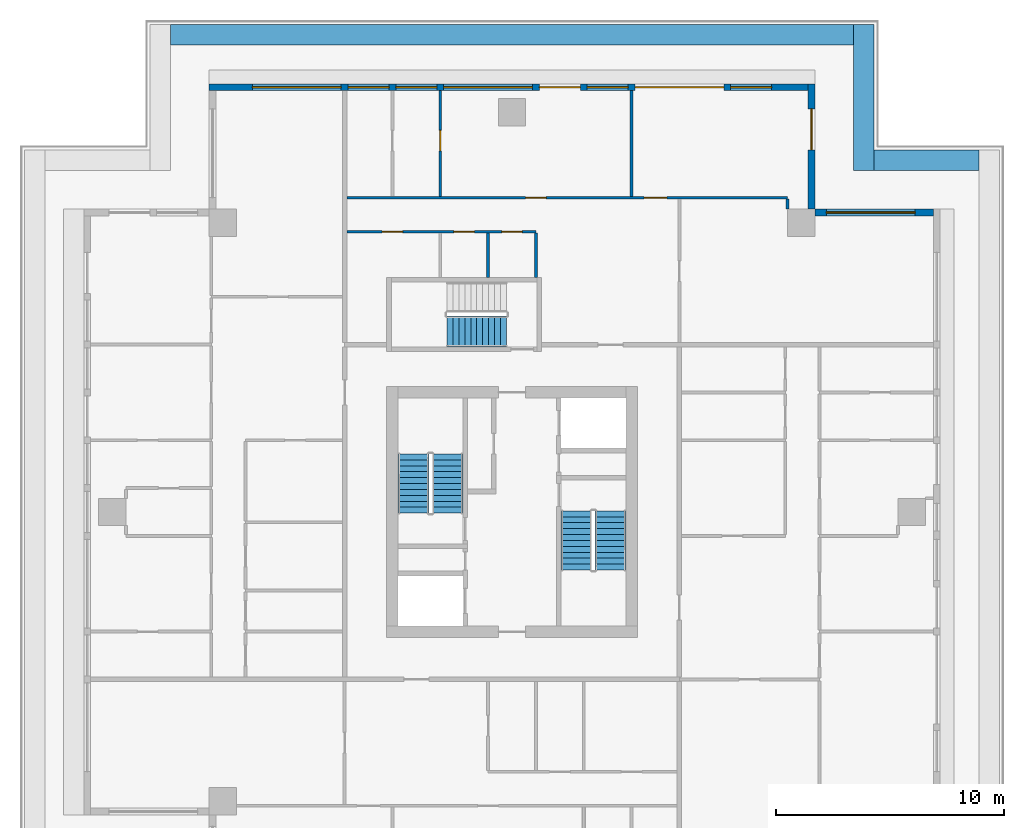
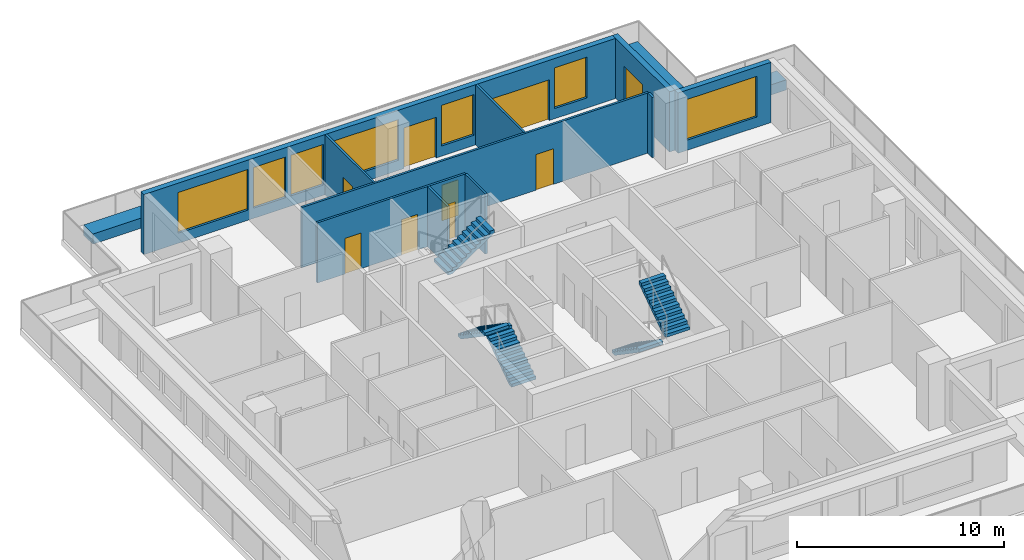
# One storey, part 6 of 10: 13 walls, 9 doors, 7 windows, 5 stair flights, 16 openings, 3 elements without a shape of their own.
"""IFC4 building model written with IfcOpenShell, lengths in metres."""

from ifc_helpers import new_model, si_unit, direction, frame, frame_2d, origin, place, context, subcontext, project, spatial, polyline, rectangle, outline, extrude, material, layer, layer_set, type_object, element, fill, aggregate, save


model = new_model("IFC4")

# Units and contexts
model_context = context("Model", 3, precision=1e-05, world=origin(), true_north=direction((0.0, 1.0)))
body_context = subcontext(model_context, "Body", "Model", "MODEL_VIEW")
ifc_project = project(units=[si_unit("LENGTHUNIT", "METRE"), si_unit("AREAUNIT", "SQUARE_METRE"), si_unit("VOLUMEUNIT", "CUBIC_METRE"), si_unit("PLANEANGLEUNIT", "RADIAN"), si_unit("MASSUNIT", "GRAM", prefix="KILO")], contexts=[model_context])

# Site, building, storey
site_placement = place(None, origin())
site = spatial("IfcSite", under=ifc_project, at=site_placement, CompositionType="ELEMENT")
building_placement = place(site_placement, origin())
building = spatial("IfcBuilding", under=site, at=building_placement, Name="Khepri Terraces", CompositionType="ELEMENT")
storey_placement = place(building_placement, frame((0.0, 0.0, 300.60009765625)))
storey = spatial("IfcBuildingStorey", under=building, at=storey_placement, Name="L72", CompositionType="ELEMENT", Elevation=300.60009765625)

# Wall, opening, window
ifc_material_1 = material(Name="Precast concrete C50/60 warm stone", Category="masonry")
ifc_layer_1 = layer(ifc_material_1, 0.300048828125, Name="Precast concrete C50/60 warm stone", Category="masonry")
ifc_layer_set_1 = layer_set([ifc_layer_1], Name="Precast concrete C50/60 warm stone")
wall_type_1 = type_object("IfcWallType", Name="WL-EXT-PRECAST-300", PredefinedType="STANDARD", material=ifc_layer_set_1)
wall_1_placement = place(storey_placement, frame((18.5, 13.14990234375, 0.0), z_axis=(0.0, 0.0, 1.0), x_axis=(-1.0, 0.0, 0.0)))
wall_1 = element("IfcWall", 1, at=wall_1_placement, inside=storey, type_object=wall_type_1, Name="External wall L72 N", PredefinedType="STANDARD", context=body_context, shape_type="SweptSolid", body=[
    extrude(rectangle(XDim=5.199951171875, YDim=0.300048828125, at=frame_2d((2.60009765625, 0.0))), origin(), (0.0, 0.0, 1.0), 3.5498046875),
])
opening_1_placement = place(wall_1_placement, frame((0.800048828125, 0.0, 0.60009765625)))
opening_1 = element("IfcOpeningElement", 2, at=opening_1_placement, cuts=wall_1, Name="Opening WC2", PredefinedType="OPENING", context=body_context, shape_type="SweptSolid", body=[
    extrude(rectangle(XDim=3.89990234375, YDim=2.39990234375, at=frame_2d((1.949951171875, 1.199951171875))), frame((0.0, 0.16015625, 0.0), z_axis=(0.0, -1.0, 0.0), x_axis=(1.0, 0.0, 0.0)), (0.0, 0.0, 1.0), 0.320068359375),
])
ifc_material_2 = material(Name="Clear glass", Category="glass")
window_type_1 = type_object("IfcWindowType", Name="WIN-CRN-3900x2400", PartitioningType="SINGLE_PANEL", PredefinedType="WINDOW", material=ifc_material_2)
window_1_placement = place(opening_1_placement, origin())
window_1 = element("IfcWindow", 3, at=window_1_placement, inside=storey, type_object=window_type_1, Name="Window L72 N", OverallHeight=2.39990234375, OverallWidth=3.89990234375, PartitioningType="SINGLE_PANEL", PredefinedType="WINDOW", context=body_context, shape_type="SweptSolid", body=[
    extrude(rectangle(XDim=3.89990234375, YDim=2.39990234375, at=frame_2d((1.949951171875, 1.199951171875))), frame((0.0, 0.030029296875, 0.0), z_axis=(0.0, -1.0, 0.0), x_axis=(1.0, 0.0, 0.0)), (0.0, 0.0, 1.0), 0.06005859375),
])
fill(opening_1, window_1)

# Wall, opening, door
wall_2_placement = place(storey_placement, frame((13.14990234375, 13.300048828125, 0.0), z_axis=(0.0, 0.0, 1.0), x_axis=(0.0, 1.0, 0.0)))
wall_2 = element("IfcWall", 4, at=wall_2_placement, inside=storey, type_object=wall_type_1, Name="External wall L72 E", PredefinedType="STANDARD", context=body_context, shape_type="SweptSolid", body=[
    extrude(rectangle(XDim=5.5, YDim=0.300048828125, at=frame_2d((2.75, 0.0))), origin(), (0.0, 0.0, 1.0), 3.5498046875),
])
opening_2_placement = place(wall_2_placement, frame((2.60009765625, 0.0, 0.0)))
opening_2 = element("IfcOpeningElement", 5, at=opening_2_placement, cuts=wall_2, Name="Opening ED-L72-04", PredefinedType="OPENING", context=body_context, shape_type="SweptSolid", body=[
    extrude(rectangle(XDim=1.800048828125, YDim=2.39990234375, at=frame_2d((0.89990234375, 1.199951171875))), frame((0.0, 0.16015625, 0.0), z_axis=(0.0, -1.0, 0.0), x_axis=(1.0, 0.0, 0.0)), (0.0, 0.0, 1.0), 0.320068359375),
])
ifc_material_3 = material(Name="Anodised aluminium bronze glazed door", Category="aluminium")
door_type_1 = type_object("IfcDoorType", Name="DR-BAL-SLIDE-1800x2400", OperationType="NOTDEFINED", PredefinedType="DOOR", material=ifc_material_3)
door_1_placement = place(opening_2_placement, origin())
door_1 = element("IfcDoor", 6, at=door_1_placement, inside=storey, type_object=door_type_1, Name="Balcony door L72 E", OperationType="SLIDING_TO_LEFT", OverallHeight=2.39990234375, OverallWidth=1.800048828125, PredefinedType="DOOR", context=body_context, shape_type="SweptSolid", body=[
    extrude(rectangle(XDim=1.800048828125, YDim=2.39990234375, at=frame_2d((0.89990234375, 1.199951171875))), frame((0.0, 0.02490234375, 0.0), z_axis=(0.0, -1.0, 0.0), x_axis=(1.0, 0.0, 0.0)), (0.0, 0.0, 1.0), 0.050048828125),
])
fill(opening_2, door_1)

# Wall, openings, doors, windows
wall_3_placement = place(storey_placement, frame((13.0, 18.64990234375, 0.0), z_axis=(0.0, 0.0, 1.0), x_axis=(-1.0, 0.0, 0.0)))
wall_3 = element("IfcWall", 7, at=wall_3_placement, inside=storey, type_object=wall_type_1, Name="External wall L72 N", PredefinedType="STANDARD", context=body_context, shape_type="SweptSolid", body=[
    extrude(rectangle(XDim=26.300048828125, YDim=0.300048828125, at=frame_2d((13.14990234375, 0.0))), origin(), (0.0, 0.0, 1.0), 3.5498046875),
])
opening_3_placement = place(wall_3_placement, frame((1.60009765625, 0.0, 0.60009765625)))
opening_3 = element("IfcOpeningElement", 8, at=opening_3_placement, cuts=wall_3, Name="Opening WC1", PredefinedType="OPENING", context=body_context, shape_type="SweptSolid", body=[
    extrude(rectangle(XDim=1.800048828125, YDim=2.39990234375, at=frame_2d((0.89990234375, 1.199951171875))), frame((0.0, 0.16015625, 0.0), z_axis=(0.0, -1.0, 0.0), x_axis=(1.0, 0.0, 0.0)), (0.0, 0.0, 1.0), 0.320068359375),
])
opening_4_placement = place(wall_3_placement, frame((3.699951171875, 0.0, 0.0)))
opening_4 = element("IfcOpeningElement", 9, at=opening_4_placement, cuts=wall_3, Name="Opening ED-L72-05", PredefinedType="OPENING", context=body_context, shape_type="SweptSolid", body=[
    extrude(rectangle(XDim=3.89990234375, YDim=2.39990234375, at=frame_2d((1.949951171875, 1.199951171875))), frame((0.0, 0.16015625, 0.0), z_axis=(0.0, -1.0, 0.0), x_axis=(1.0, 0.0, 0.0)), (0.0, 0.0, 1.0), 0.320068359375),
])
opening_5_placement = place(wall_3_placement, frame((7.89990234375, 0.0, 0.60009765625)))
opening_5 = element("IfcOpeningElement", 10, at=opening_5_placement, cuts=wall_3, Name="Opening WC1", PredefinedType="OPENING", context=body_context, shape_type="SweptSolid", body=[
    extrude(rectangle(XDim=1.800048828125, YDim=2.39990234375, at=frame_2d((0.89990234375, 1.199951171875))), frame((0.0, 0.16015625, 0.0), z_axis=(0.0, -1.0, 0.0), x_axis=(1.0, 0.0, 0.0)), (0.0, 0.0, 1.0), 0.320068359375),
])
opening_6_placement = place(wall_3_placement, frame((10.0, 0.0, 0.0)))
opening_6 = element("IfcOpeningElement", 11, at=opening_6_placement, cuts=wall_3, Name="Opening ED-L72-06", PredefinedType="OPENING", context=body_context, shape_type="SweptSolid", body=[
    extrude(rectangle(XDim=1.800048828125, YDim=2.39990234375, at=frame_2d((0.89990234375, 1.199951171875))), frame((0.0, 0.16015625, 0.0), z_axis=(0.0, -1.0, 0.0), x_axis=(1.0, 0.0, 0.0)), (0.0, 0.0, 1.0), 0.320068359375),
])
opening_7_placement = place(wall_3_placement, frame((12.10009765625, 0.0, 0.60009765625)))
opening_7 = element("IfcOpeningElement", 12, at=opening_7_placement, cuts=wall_3, Name="Opening WC2", PredefinedType="OPENING", context=body_context, shape_type="SweptSolid", body=[
    extrude(rectangle(XDim=3.89990234375, YDim=2.39990234375, at=frame_2d((1.949951171875, 1.199951171875))), frame((0.0, 0.16015625, 0.0), z_axis=(0.0, -1.0, 0.0), x_axis=(1.0, 0.0, 0.0)), (0.0, 0.0, 1.0), 0.320068359375),
])
opening_8_placement = place(wall_3_placement, frame((16.300048828125, 0.0, 0.60009765625)))
opening_8 = element("IfcOpeningElement", 13, at=opening_8_placement, cuts=wall_3, Name="Opening WC1", PredefinedType="OPENING", context=body_context, shape_type="SweptSolid", body=[
    extrude(rectangle(XDim=1.800048828125, YDim=2.39990234375, at=frame_2d((0.89990234375, 1.199951171875))), frame((0.0, 0.16015625, 0.0), z_axis=(0.0, -1.0, 0.0), x_axis=(1.0, 0.0, 0.0)), (0.0, 0.0, 1.0), 0.320068359375),
])
opening_9_placement = place(wall_3_placement, frame((18.39990234375, 0.0, 0.60009765625)))
opening_9 = element("IfcOpeningElement", 14, at=opening_9_placement, cuts=wall_3, Name="Opening WC1", PredefinedType="OPENING", context=body_context, shape_type="SweptSolid", body=[
    extrude(rectangle(XDim=1.800048828125, YDim=2.39990234375, at=frame_2d((0.89990234375, 1.199951171875))), frame((0.0, 0.16015625, 0.0), z_axis=(0.0, -1.0, 0.0), x_axis=(1.0, 0.0, 0.0)), (0.0, 0.0, 1.0), 0.320068359375),
])
opening_10_placement = place(wall_3_placement, frame((20.5, 0.0, 0.60009765625)))
opening_10 = element("IfcOpeningElement", 15, at=opening_10_placement, cuts=wall_3, Name="Opening WC2", PredefinedType="OPENING", context=body_context, shape_type="SweptSolid", body=[
    extrude(rectangle(XDim=3.89990234375, YDim=2.39990234375, at=frame_2d((1.949951171875, 1.199951171875))), frame((0.0, 0.16015625, 0.0), z_axis=(0.0, -1.0, 0.0), x_axis=(1.0, 0.0, 0.0)), (0.0, 0.0, 1.0), 0.320068359375),
])
door_2_placement = place(opening_6_placement, origin())
door_2 = element("IfcDoor", 16, at=door_2_placement, inside=storey, type_object=door_type_1, Name="Balcony door L72 N", OperationType="SLIDING_TO_RIGHT", OverallHeight=2.39990234375, OverallWidth=1.800048828125, PredefinedType="DOOR", context=body_context, shape_type="SweptSolid", body=[
    extrude(rectangle(XDim=1.800048828125, YDim=2.39990234375, at=frame_2d((0.89990234375, 1.199951171875))), frame((0.0, 0.02490234375, 0.0), z_axis=(0.0, -1.0, 0.0), x_axis=(1.0, 0.0, 0.0)), (0.0, 0.0, 1.0), 0.050048828125),
])
fill(opening_6, door_2)
door_type_2 = type_object("IfcDoorType", Name="DR-BAL-SLIDE-3900x2400", OperationType="NOTDEFINED", PredefinedType="DOOR", material=ifc_material_3)
door_3_placement = place(opening_4_placement, origin())
door_3 = element("IfcDoor", 17, at=door_3_placement, inside=storey, type_object=door_type_2, Name="Balcony door L72 N", OperationType="SLIDING_TO_LEFT", OverallHeight=2.39990234375, OverallWidth=3.89990234375, PredefinedType="DOOR", context=body_context, shape_type="SweptSolid", body=[
    extrude(rectangle(XDim=3.89990234375, YDim=2.39990234375, at=frame_2d((1.949951171875, 1.199951171875))), frame((0.0, 0.02490234375, 0.0), z_axis=(0.0, -1.0, 0.0), x_axis=(1.0, 0.0, 0.0)), (0.0, 0.0, 1.0), 0.050048828125),
])
fill(opening_4, door_3)
window_type_2 = type_object("IfcWindowType", Name="WIN-CRN-1800x2400", PartitioningType="SINGLE_PANEL", PredefinedType="WINDOW", material=ifc_material_2)
window_2_placement = place(opening_3_placement, origin())
window_2 = element("IfcWindow", 18, at=window_2_placement, inside=storey, type_object=window_type_2, Name="Window L72 N", OverallHeight=2.39990234375, OverallWidth=1.800048828125, PartitioningType="SINGLE_PANEL", PredefinedType="WINDOW", context=body_context, shape_type="SweptSolid", body=[
    extrude(rectangle(XDim=1.800048828125, YDim=2.39990234375, at=frame_2d((0.89990234375, 1.199951171875))), frame((0.0, 0.030029296875, 0.0), z_axis=(0.0, -1.0, 0.0), x_axis=(1.0, 0.0, 0.0)), (0.0, 0.0, 1.0), 0.06005859375),
])
fill(opening_3, window_2)
window_3_placement = place(opening_5_placement, origin())
window_3 = element("IfcWindow", 19, at=window_3_placement, inside=storey, type_object=window_type_2, Name="Window L72 N", OverallHeight=2.39990234375, OverallWidth=1.800048828125, PartitioningType="SINGLE_PANEL", PredefinedType="WINDOW", context=body_context, shape_type="SweptSolid", body=[
    extrude(rectangle(XDim=1.800048828125, YDim=2.39990234375, at=frame_2d((0.89990234375, 1.199951171875))), frame((0.0, 0.030029296875, 0.0), z_axis=(0.0, -1.0, 0.0), x_axis=(1.0, 0.0, 0.0)), (0.0, 0.0, 1.0), 0.06005859375),
])
fill(opening_5, window_3)
window_4_placement = place(opening_8_placement, origin())
window_4 = element("IfcWindow", 20, at=window_4_placement, inside=storey, type_object=window_type_2, Name="Window L72 N", OverallHeight=2.39990234375, OverallWidth=1.800048828125, PartitioningType="SINGLE_PANEL", PredefinedType="WINDOW", context=body_context, shape_type="SweptSolid", body=[
    extrude(rectangle(XDim=1.800048828125, YDim=2.39990234375, at=frame_2d((0.89990234375, 1.199951171875))), frame((0.0, 0.030029296875, 0.0), z_axis=(0.0, -1.0, 0.0), x_axis=(1.0, 0.0, 0.0)), (0.0, 0.0, 1.0), 0.06005859375),
])
fill(opening_8, window_4)
window_5_placement = place(opening_9_placement, origin())
window_5 = element("IfcWindow", 21, at=window_5_placement, inside=storey, type_object=window_type_2, Name="Window L72 N", OverallHeight=2.39990234375, OverallWidth=1.800048828125, PartitioningType="SINGLE_PANEL", PredefinedType="WINDOW", context=body_context, shape_type="SweptSolid", body=[
    extrude(rectangle(XDim=1.800048828125, YDim=2.39990234375, at=frame_2d((0.89990234375, 1.199951171875))), frame((0.0, 0.030029296875, 0.0), z_axis=(0.0, -1.0, 0.0), x_axis=(1.0, 0.0, 0.0)), (0.0, 0.0, 1.0), 0.06005859375),
])
fill(opening_9, window_5)
window_6_placement = place(opening_7_placement, origin())
window_6 = element("IfcWindow", 22, at=window_6_placement, inside=storey, type_object=window_type_1, Name="Window L72 N", OverallHeight=2.39990234375, OverallWidth=3.89990234375, PartitioningType="SINGLE_PANEL", PredefinedType="WINDOW", context=body_context, shape_type="SweptSolid", body=[
    extrude(rectangle(XDim=3.89990234375, YDim=2.39990234375, at=frame_2d((1.949951171875, 1.199951171875))), frame((0.0, 0.030029296875, 0.0), z_axis=(0.0, -1.0, 0.0), x_axis=(1.0, 0.0, 0.0)), (0.0, 0.0, 1.0), 0.06005859375),
])
fill(opening_7, window_6)
window_7_placement = place(opening_10_placement, origin())
window_7 = element("IfcWindow", 23, at=window_7_placement, inside=storey, type_object=window_type_1, Name="Window L72 N", OverallHeight=2.39990234375, OverallWidth=3.89990234375, PartitioningType="SINGLE_PANEL", PredefinedType="WINDOW", context=body_context, shape_type="SweptSolid", body=[
    extrude(rectangle(XDim=3.89990234375, YDim=2.39990234375, at=frame_2d((1.949951171875, 1.199951171875))), frame((0.0, 0.030029296875, 0.0), z_axis=(0.0, -1.0, 0.0), x_axis=(1.0, 0.0, 0.0)), (0.0, 0.0, 1.0), 0.06005859375),
])
fill(opening_10, window_7)

# Walls
ifc_material_4 = material(Name="Gypsum plasterboard partition")
ifc_layer_2 = layer(ifc_material_4, 0.1201171875, Name="Gypsum plasterboard partition")
ifc_layer_set_2 = layer_set([ifc_layer_2], Name="Gypsum plasterboard partition")
wall_type_2 = type_object("IfcWallType", Name="WL-PART-120", PredefinedType="PARTITIONING", material=ifc_layer_set_2)
for number, where, z_axis, x_axis, name in (
    (24, (-1.050048828125, 10.300048828125, 0.0), (0.0, 0.0, 1.0), (0.0, 1.0, 0.0), "Partition P-061 L72"),
    (25, (1.050048828125, 10.300048828125, 0.0), (0.0, 0.0, 1.0), (0.0, 1.0, 0.0), "Partition P-062 L72"),
):
    element("IfcWall", number, at=place(storey_placement, frame(where, z_axis=z_axis, x_axis=x_axis)), inside=storey, type_object=wall_type_2, Name=name, PredefinedType="PARTITIONING", context=body_context, shape_type="SweptSolid", body=[
        extrude(rectangle(XDim=1.93994140625, YDim=0.1201171875, at=frame_2d((0.969970703125, 0.0))), origin(), (0.0, 0.0, 1.0), 3.5498046875),
    ])

# Wall, openings, doors
wall_4_placement = place(storey_placement, frame((-7.25, 12.300048828125, 0.0), z_axis=(0.0, 0.0, 1.0), x_axis=(1.0, 0.0, 0.0)))
wall_4 = element("IfcWall", 26, at=wall_4_placement, inside=storey, type_object=wall_type_2, Name="Partition P-063 L72", PredefinedType="PARTITIONING", context=body_context, shape_type="SweptSolid", body=[
    extrude(rectangle(XDim=8.300048828125, YDim=0.1201171875, at=frame_2d((4.14990234375, 0.0))), origin(), (0.0, 0.0, 1.0), 3.5498046875),
])
opening_11_placement = place(wall_4_placement, frame((6.800048828125, 0.0, 0.0)))
opening_11 = element("IfcOpeningElement", 27, at=opening_11_placement, cuts=wall_4, Name="Opening D4", PredefinedType="OPENING", context=body_context, shape_type="SweptSolid", body=[
    extrude(rectangle(XDim=0.89990234375, YDim=2.10009765625, at=frame_2d((0.449951171875, 1.050048828125))), frame((0.0, 0.070068359375, 0.0), z_axis=(0.0, -1.0, 0.0), x_axis=(1.0, 0.0, 0.0)), (0.0, 0.0, 1.0), 0.14013671875),
])
opening_12_placement = place(wall_4_placement, frame((4.699951171875, 0.0, 0.0)))
opening_12 = element("IfcOpeningElement", 28, at=opening_12_placement, cuts=wall_4, Name="Opening D3", PredefinedType="OPENING", context=body_context, shape_type="SweptSolid", body=[
    extrude(rectangle(XDim=0.89990234375, YDim=2.10009765625, at=frame_2d((0.449951171875, 1.050048828125))), frame((0.0, 0.070068359375, 0.0), z_axis=(0.0, -1.0, 0.0), x_axis=(1.0, 0.0, 0.0)), (0.0, 0.0, 1.0), 0.14013671875),
])
opening_13_placement = place(wall_4_placement, frame((1.550048828125, 0.0, 0.0)))
opening_13 = element("IfcOpeningElement", 29, at=opening_13_placement, cuts=wall_4, Name="Opening D3", PredefinedType="OPENING", context=body_context, shape_type="SweptSolid", body=[
    extrude(rectangle(XDim=0.89990234375, YDim=2.10009765625, at=frame_2d((0.449951171875, 1.050048828125))), frame((0.0, 0.070068359375, 0.0), z_axis=(0.0, -1.0, 0.0), x_axis=(1.0, 0.0, 0.0)), (0.0, 0.0, 1.0), 0.14013671875),
])
ifc_material_5 = material(Name="Timber door leaf", Category="wood")
door_type_3 = type_object("IfcDoorType", Name="DR-INT-900", OperationType="NOTDEFINED", PredefinedType="DOOR", material=ifc_material_5)
door_4_placement = place(opening_12_placement, frame((0.89990234375, 0.0, 0.0), z_axis=(0.0, 0.0, 1.0), x_axis=(-1.0, 0.0, 0.0)))
door_4 = element("IfcDoor", 30, at=door_4_placement, inside=storey, type_object=door_type_3, Name="Door Kitchen", OperationType="SINGLE_SWING_LEFT", OverallHeight=2.10009765625, OverallWidth=0.89990234375, PredefinedType="DOOR", context=body_context, shape_type="SweptSolid", body=[
    extrude(rectangle(XDim=0.89990234375, YDim=2.10009765625, at=frame_2d((0.449951171875, 1.050048828125))), frame((0.0, 0.02490234375, 0.0), z_axis=(0.0, -1.0, 0.0), x_axis=(1.0, 0.0, 0.0)), (0.0, 0.0, 1.0), 0.050048828125),
])
fill(opening_12, door_4)
door_5_placement = place(opening_13_placement, frame((0.89990234375, 0.0, 0.0), z_axis=(0.0, 0.0, 1.0), x_axis=(-1.0, 0.0, 0.0)))
door_5 = element("IfcDoor", 31, at=door_5_placement, inside=storey, type_object=door_type_3, Name="Door Staff Bedroom", OperationType="SINGLE_SWING_RIGHT", OverallHeight=2.10009765625, OverallWidth=0.89990234375, PredefinedType="DOOR", context=body_context, shape_type="SweptSolid", body=[
    extrude(rectangle(XDim=0.89990234375, YDim=2.10009765625, at=frame_2d((0.449951171875, 1.050048828125))), frame((0.0, 0.02490234375, 0.0), z_axis=(0.0, -1.0, 0.0), x_axis=(1.0, 0.0, 0.0)), (0.0, 0.0, 1.0), 0.050048828125),
])
fill(opening_13, door_5)
ifc_material_6 = material(Name="Timber door leaf, moisture resistant", Category="wood")
door_type_4 = type_object("IfcDoorType", Name="DR-WET-900", OperationType="NOTDEFINED", PredefinedType="DOOR", material=ifc_material_6)
door_6_placement = place(opening_11_placement, frame((0.89990234375, 0.0, 0.0), z_axis=(0.0, 0.0, 1.0), x_axis=(-1.0, 0.0, 0.0)))
door_6 = element("IfcDoor", 32, at=door_6_placement, inside=storey, type_object=door_type_4, Name="Door Guest Bathroom", OperationType="SINGLE_SWING_LEFT", OverallHeight=2.10009765625, OverallWidth=0.89990234375, PredefinedType="DOOR", context=body_context, shape_type="SweptSolid", body=[
    extrude(rectangle(XDim=0.89990234375, YDim=2.10009765625, at=frame_2d((0.449951171875, 1.050048828125))), frame((0.0, 0.02490234375, 0.0), z_axis=(0.0, -1.0, 0.0), x_axis=(1.0, 0.0, 0.0)), (0.0, 0.0, 1.0), 0.050048828125),
])
fill(opening_11, door_6)

# Wall
wall_5_placement = place(storey_placement, frame((12.09912109375, 13.300048828125, 0.0), z_axis=(0.0, 0.0, 1.0), x_axis=(0.0, 1.0, 0.0)))
element("IfcWall", 33, at=wall_5_placement, inside=storey, type_object=wall_type_2, Name="Partition P-064 L72", PredefinedType="PARTITIONING", context=body_context, shape_type="SweptSolid", body=[
    extrude(rectangle(XDim=0.43994140625, YDim=0.1201171875, at=frame_2d((0.219970703125, 0.0))), origin(), (0.0, 0.0, 1.0), 3.5498046875),
])

# Wall, openings, doors
wall_6_placement = place(storey_placement, frame((-7.25, 13.800048828125, 0.0), z_axis=(0.0, 0.0, 1.0), x_axis=(1.0, 0.0, 0.0)))
wall_6 = element("IfcWall", 34, at=wall_6_placement, inside=storey, type_object=wall_type_2, Name="Partition P-065 L72", PredefinedType="PARTITIONING", context=body_context, shape_type="SweptSolid", body=[
    extrude(rectangle(XDim=19.34912109375, YDim=0.1201171875, at=frame_2d((9.674560546875, 0.0))), origin(), (0.0, 0.0, 1.0), 3.5498046875),
])
opening_14_placement = place(wall_6_placement, frame((13.050048828125, 0.0, 0.0)))
opening_14 = element("IfcOpeningElement", 35, at=opening_14_placement, cuts=wall_6, Name="Opening D2", PredefinedType="OPENING", context=body_context, shape_type="SweptSolid", body=[
    extrude(rectangle(XDim=1.0, YDim=2.10009765625, at=frame_2d((0.5, 1.050048828125))), frame((0.0, 0.070068359375, 0.0), z_axis=(0.0, -1.0, 0.0), x_axis=(1.0, 0.0, 0.0)), (0.0, 0.0, 1.0), 0.14013671875),
])
opening_15_placement = place(wall_6_placement, frame((7.85009765625, 0.0, 0.0)))
opening_15 = element("IfcOpeningElement", 36, at=opening_15_placement, cuts=wall_6, Name="Opening D3", PredefinedType="OPENING", context=body_context, shape_type="SweptSolid", body=[
    extrude(rectangle(XDim=0.89990234375, YDim=2.10009765625, at=frame_2d((0.449951171875, 1.050048828125))), frame((0.0, 0.070068359375, 0.0), z_axis=(0.0, -1.0, 0.0), x_axis=(1.0, 0.0, 0.0)), (0.0, 0.0, 1.0), 0.14013671875),
])
ifc_material_7 = material(Name="Timber door leaf, living room door", Category="wood")
door_type_5 = type_object("IfcDoorType", Name="DR-INT-1000", OperationType="NOTDEFINED", PredefinedType="DOOR", material=ifc_material_7)
door_7_placement = place(opening_14_placement, origin())
door_7 = element("IfcDoor", 37, at=door_7_placement, inside=storey, type_object=door_type_5, Name="Door Living Room", OperationType="SINGLE_SWING_RIGHT", OverallHeight=2.10009765625, OverallWidth=1.0, PredefinedType="DOOR", context=body_context, shape_type="SweptSolid", body=[
    extrude(rectangle(XDim=1.0, YDim=2.10009765625, at=frame_2d((0.5, 1.050048828125))), frame((0.0, 0.02490234375, 0.0), z_axis=(0.0, -1.0, 0.0), x_axis=(1.0, 0.0, 0.0)), (0.0, 0.0, 1.0), 0.050048828125),
])
fill(opening_14, door_7)
door_8_placement = place(opening_15_placement, origin())
door_8 = element("IfcDoor", 38, at=door_8_placement, inside=storey, type_object=door_type_3, Name="Door Master Bedroom", OperationType="SINGLE_SWING_LEFT", OverallHeight=2.10009765625, OverallWidth=0.89990234375, PredefinedType="DOOR", context=body_context, shape_type="SweptSolid", body=[
    extrude(rectangle(XDim=0.89990234375, YDim=2.10009765625, at=frame_2d((0.449951171875, 1.050048828125))), frame((0.0, 0.02490234375, 0.0), z_axis=(0.0, -1.0, 0.0), x_axis=(1.0, 0.0, 0.0)), (0.0, 0.0, 1.0), 0.050048828125),
])
fill(opening_15, door_8)

# Wall, opening, door
wall_7_placement = place(storey_placement, frame((-3.14990234375, 13.860107421875, 0.0), z_axis=(0.0, 0.0, 1.0), x_axis=(0.0, 1.0, 0.0)))
wall_7 = element("IfcWall", 39, at=wall_7_placement, inside=storey, type_object=wall_type_2, Name="Partition P-067 L72", PredefinedType="PARTITIONING", context=body_context, shape_type="SweptSolid", body=[
    extrude(rectangle(XDim=4.639892578125, YDim=0.1201171875, at=frame_2d((2.31982421875, 0.0))), origin(), (0.0, 0.0, 1.0), 3.5498046875),
])
opening_16_placement = place(wall_7_placement, frame((1.989990234375, 0.0, 0.0)))
opening_16 = element("IfcOpeningElement", 40, at=opening_16_placement, cuts=wall_7, Name="Opening D3", PredefinedType="OPENING", context=body_context, shape_type="SweptSolid", body=[
    extrude(rectangle(XDim=0.89990234375, YDim=2.10009765625, at=frame_2d((0.449951171875, 1.050048828125))), frame((0.0, 0.070068359375, 0.0), z_axis=(0.0, -1.0, 0.0), x_axis=(1.0, 0.0, 0.0)), (0.0, 0.0, 1.0), 0.14013671875),
])
door_9_placement = place(opening_16_placement, origin())
door_9 = element("IfcDoor", 41, at=door_9_placement, inside=storey, type_object=door_type_3, Name="Door Dressing Room", OperationType="SINGLE_SWING_RIGHT", OverallHeight=2.10009765625, OverallWidth=0.89990234375, PredefinedType="DOOR", context=body_context, shape_type="SweptSolid", body=[
    extrude(rectangle(XDim=0.89990234375, YDim=2.10009765625, at=frame_2d((0.449951171875, 1.050048828125))), frame((0.0, 0.02490234375, 0.0), z_axis=(0.0, -1.0, 0.0), x_axis=(1.0, 0.0, 0.0)), (0.0, 0.0, 1.0), 0.050048828125),
])
fill(opening_16, door_9)

# Walls
wall_8_placement = place(storey_placement, frame((5.25, 13.860107421875, 0.0), z_axis=(0.0, 0.0, 1.0), x_axis=(0.0, 1.0, 0.0)))
element("IfcWall", 42, at=wall_8_placement, inside=storey, type_object=wall_type_2, Name="Partition P-068 L72", PredefinedType="PARTITIONING", context=body_context, shape_type="SweptSolid", body=[
    extrude(rectangle(XDim=4.639892578125, YDim=0.1201171875, at=frame_2d((2.31982421875, 0.0))), origin(), (0.0, 0.0, 1.0), 3.5498046875),
])
ifc_layer_3 = layer(ifc_material_1, 0.89990234375, Name="Precast concrete C50/60 warm stone", Category="masonry")
ifc_layer_set_3 = layer_set([ifc_layer_3], Name="Precast concrete C50/60 warm stone")
wall_type_3 = type_object("IfcWallType", Name="WL-PLANTER-900", PredefinedType="MOVABLE", material=ifc_layer_set_3)
wall_9_placement = place(storey_placement, frame((-15.0, 20.949951171875, 0.0), z_axis=(0.0, 0.0, 1.0), x_axis=(1.0, 0.0, 0.0)))
element("IfcWall", 43, at=wall_9_placement, inside=storey, type_object=wall_type_3, Name="Planter L72", PredefinedType="MOVABLE", context=body_context, shape_type="SweptSolid", body=[
    extrude(rectangle(XDim=30.0, YDim=0.89990234375, at=frame_2d((15.0, 0.0))), origin(), (0.0, 0.0, 1.0), 0.599853515625),
])
wall_10_placement = place(storey_placement, frame((15.449951171875, 15.0, 0.0), z_axis=(0.0, 0.0, 1.0), x_axis=(0.0, 1.0, 0.0)))
element("IfcWall", 44, at=wall_10_placement, inside=storey, type_object=wall_type_3, Name="Planter L72", PredefinedType="MOVABLE", context=body_context, shape_type="SweptSolid", body=[
    extrude(rectangle(XDim=6.39990234375, YDim=0.89990234375, at=frame_2d((3.199951171875, 0.0))), origin(), (0.0, 0.0, 1.0), 0.599853515625),
])
wall_11_placement = place(storey_placement, frame((15.89990234375, 15.449951171875, 0.0), z_axis=(0.0, 0.0, 1.0), x_axis=(1.0, 0.0, 0.0)))
element("IfcWall", 45, at=wall_11_placement, inside=storey, type_object=wall_type_3, Name="Planter L72", PredefinedType="MOVABLE", context=body_context, shape_type="SweptSolid", body=[
    extrude(rectangle(XDim=4.60009765625, YDim=0.89990234375, at=frame_2d((2.300048828125, 0.0))), origin(), (0.0, 0.0, 1.0), 0.599853515625),
])

# Stair, stair flights
ifc_material_8 = material(Name="Concrete C40/50", Category="concrete")
stair_type = type_object("IfcStairType", Name="STAIR-RC-22R", PredefinedType="HALF_TURN_STAIR", material=ifc_material_8)
stair_1_placement = place(storey_placement, origin())
stair_1 = element("IfcStair", 46, at=stair_1_placement, inside=storey, type_object=stair_type, Name="L72 Exit Stair ST-1", PredefinedType="HALF_TURN_STAIR")
stair_flight_type = type_object("IfcStairFlightType", Name="SFL-RC-177.3", PredefinedType="STRAIGHT", material=ifc_material_8)
stair_flight_1_placement = place(storey_placement, frame((-2.824951171875, -0.050048828125, 0.0), z_axis=(0.0, 0.0, 1.0), x_axis=(0.0, 1.0, 0.0)))
stair_flight_1 = element("IfcStairFlight", 47, at=stair_flight_1_placement, type_object=stair_flight_type, Name="ST-1 flight 1", NumberOfRisers=11, NumberOfTreads=10, PredefinedType="STRAIGHT", RiserHeight=0.177272727, TreadLength=0.26, context=body_context, shape_type="SweptSolid", body=[
    extrude(outline(polyline([(0.0, 0.0), (0.0, 0.17724609375), (0.260009765625, 0.17724609375), (0.260009765625, 0.3544921875), (0.52001953125, 0.3544921875), (0.52001953125, 0.53173828125), (0.780029296875, 0.53173828125), (0.780029296875, 0.708984375), (1.0400390625, 0.708984375), (1.0400390625, 0.886474609375), (1.300048828125, 0.886474609375), (1.300048828125, 1.063720703125), (1.56005859375, 1.063720703125), (1.56005859375, 1.240966796875), (1.820068359375, 1.240966796875), (1.820068359375, 1.418212890625), (2.080078125, 1.418212890625), (2.080078125, 1.595458984375), (2.340087890625, 1.595458984375), (2.340087890625, 1.772705078125), (2.60009765625, 1.772705078125), (2.60009765625, 1.949951171875), (2.60009765625, 1.59130859375), (0.26611328125, 0.0), (0.0, 0.0)])), frame((0.0, 0.675048828125, 0.0), z_axis=(0.0, -1.0, 0.0), x_axis=(1.0, 0.0, 0.0)), (0.0, 0.0, 1.0), 1.35009765625),
])
stair_flight_2_placement = place(storey_placement, frame((-4.324951171875, 2.550048828125, 1.949951171875), z_axis=(0.0, 0.0, 1.0), x_axis=(0.0, -1.0, 0.0)))
stair_flight_2 = element("IfcStairFlight", 48, at=stair_flight_2_placement, type_object=stair_flight_type, Name="ST-1 flight 2", NumberOfRisers=11, NumberOfTreads=10, PredefinedType="STRAIGHT", RiserHeight=0.177272727, TreadLength=0.26, context=body_context, shape_type="SweptSolid", body=[
    extrude(outline(polyline([(0.0, 0.0), (0.0, 0.17724609375), (0.260009765625, 0.17724609375), (0.260009765625, 0.3544921875), (0.52001953125, 0.3544921875), (0.52001953125, 0.53173828125), (0.780029296875, 0.53173828125), (0.780029296875, 0.708984375), (1.0400390625, 0.708984375), (1.0400390625, 0.886474609375), (1.300048828125, 0.886474609375), (1.300048828125, 1.063720703125), (1.56005859375, 1.063720703125), (1.56005859375, 1.240966796875), (1.820068359375, 1.240966796875), (1.820068359375, 1.418212890625), (2.080078125, 1.418212890625), (2.080078125, 1.595458984375), (2.340087890625, 1.595458984375), (2.340087890625, 1.772705078125), (2.60009765625, 1.772705078125), (2.60009765625, 1.949951171875), (2.60009765625, 1.59130859375), (0.26611328125, 0.0), (0.0, 0.0)])), frame((0.0, 0.675048828125, 0.0), z_axis=(0.0, -1.0, 0.0), x_axis=(1.0, 0.0, 0.0)), (0.0, 0.0, 1.0), 1.35009765625),
])
aggregate(stair_1, [stair_flight_1, stair_flight_2])

stair_2_placement = place(storey_placement, origin())
stair_2 = element("IfcStair", 49, at=stair_2_placement, inside=storey, type_object=stair_type, Name="L72 Exit Stair ST-2", PredefinedType="HALF_TURN_STAIR")
stair_flight_3_placement = place(storey_placement, frame((2.824951171875, 0.050048828125, 0.0), z_axis=(0.0, 0.0, 1.0), x_axis=(0.0, -1.0, 0.0)))
stair_flight_3 = element("IfcStairFlight", 50, at=stair_flight_3_placement, type_object=stair_flight_type, Name="ST-2 flight 1", NumberOfRisers=11, NumberOfTreads=10, PredefinedType="STRAIGHT", RiserHeight=0.177272727, TreadLength=0.26, context=body_context, shape_type="SweptSolid", body=[
    extrude(outline(polyline([(0.0, 0.0), (0.0, 0.17724609375), (0.260009765625, 0.17724609375), (0.260009765625, 0.3544921875), (0.52001953125, 0.3544921875), (0.52001953125, 0.53173828125), (0.780029296875, 0.53173828125), (0.780029296875, 0.708984375), (1.0400390625, 0.708984375), (1.0400390625, 0.886474609375), (1.300048828125, 0.886474609375), (1.300048828125, 1.063720703125), (1.56005859375, 1.063720703125), (1.56005859375, 1.240966796875), (1.820068359375, 1.240966796875), (1.820068359375, 1.418212890625), (2.080078125, 1.418212890625), (2.080078125, 1.595458984375), (2.340087890625, 1.595458984375), (2.340087890625, 1.772705078125), (2.60009765625, 1.772705078125), (2.60009765625, 1.949951171875), (2.60009765625, 1.59130859375), (0.26611328125, 0.0), (0.0, 0.0)])), frame((0.0, 0.675048828125, 0.0), z_axis=(0.0, -1.0, 0.0), x_axis=(1.0, 0.0, 0.0)), (0.0, 0.0, 1.0), 1.35009765625),
])
stair_flight_4_placement = place(storey_placement, frame((4.324951171875, -2.550048828125, 1.949951171875), z_axis=(0.0, 0.0, 1.0), x_axis=(0.0, 1.0, 0.0)))
stair_flight_4 = element("IfcStairFlight", 51, at=stair_flight_4_placement, type_object=stair_flight_type, Name="ST-2 flight 2", NumberOfRisers=11, NumberOfTreads=10, PredefinedType="STRAIGHT", RiserHeight=0.177272727, TreadLength=0.26, context=body_context, shape_type="SweptSolid", body=[
    extrude(outline(polyline([(0.0, 0.0), (0.0, 0.17724609375), (0.260009765625, 0.17724609375), (0.260009765625, 0.3544921875), (0.52001953125, 0.3544921875), (0.52001953125, 0.53173828125), (0.780029296875, 0.53173828125), (0.780029296875, 0.708984375), (1.0400390625, 0.708984375), (1.0400390625, 0.886474609375), (1.300048828125, 0.886474609375), (1.300048828125, 1.063720703125), (1.56005859375, 1.063720703125), (1.56005859375, 1.240966796875), (1.820068359375, 1.240966796875), (1.820068359375, 1.418212890625), (2.080078125, 1.418212890625), (2.080078125, 1.595458984375), (2.340087890625, 1.595458984375), (2.340087890625, 1.772705078125), (2.60009765625, 1.772705078125), (2.60009765625, 1.949951171875), (2.60009765625, 1.59130859375), (0.26611328125, 0.0), (0.0, 0.0)])), frame((0.0, 0.675048828125, 0.0), z_axis=(0.0, -1.0, 0.0), x_axis=(1.0, 0.0, 0.0)), (0.0, 0.0, 1.0), 1.35009765625),
])
aggregate(stair_2, [stair_flight_3, stair_flight_4])

# Stair, stair flight
stair_3_placement = place(storey_placement, origin())
stair_3 = element("IfcStair", 52, at=stair_3_placement, inside=storey, type_object=stair_type, Name="L72 Exit Stair ST-3", PredefinedType="HALF_TURN_STAIR")
stair_flight_5_placement = place(storey_placement, frame((-2.85009765625, 7.925048828125, 1.949951171875), z_axis=(0.0, 0.0, 1.0), x_axis=(1.0, 0.0, 0.0)))
stair_flight_5 = element("IfcStairFlight", 53, at=stair_flight_5_placement, type_object=stair_flight_type, Name="ST-3 flight 2", NumberOfRisers=11, NumberOfTreads=10, PredefinedType="STRAIGHT", RiserHeight=0.177272727, TreadLength=0.26, context=body_context, shape_type="SweptSolid", body=[
    extrude(outline(polyline([(0.0, 0.0), (0.0, 0.17724609375), (0.260009765625, 0.17724609375), (0.260009765625, 0.3544921875), (0.52001953125, 0.3544921875), (0.52001953125, 0.53173828125), (0.780029296875, 0.53173828125), (0.780029296875, 0.708984375), (1.0400390625, 0.708984375), (1.0400390625, 0.886474609375), (1.300048828125, 0.886474609375), (1.300048828125, 1.063720703125), (1.56005859375, 1.063720703125), (1.56005859375, 1.240966796875), (1.820068359375, 1.240966796875), (1.820068359375, 1.418212890625), (2.080078125, 1.418212890625), (2.080078125, 1.595458984375), (2.340087890625, 1.595458984375), (2.340087890625, 1.772705078125), (2.60009765625, 1.772705078125), (2.60009765625, 1.949951171875), (2.60009765625, 1.59130859375), (0.26611328125, 0.0), (0.0, 0.0)])), frame((0.0, 0.675048828125, 0.0), z_axis=(0.0, -1.0, 0.0), x_axis=(1.0, 0.0, 0.0)), (0.0, 0.0, 1.0), 1.35009765625),
])
aggregate(stair_3, [stair_flight_5])

save(model, "model.ifc")
